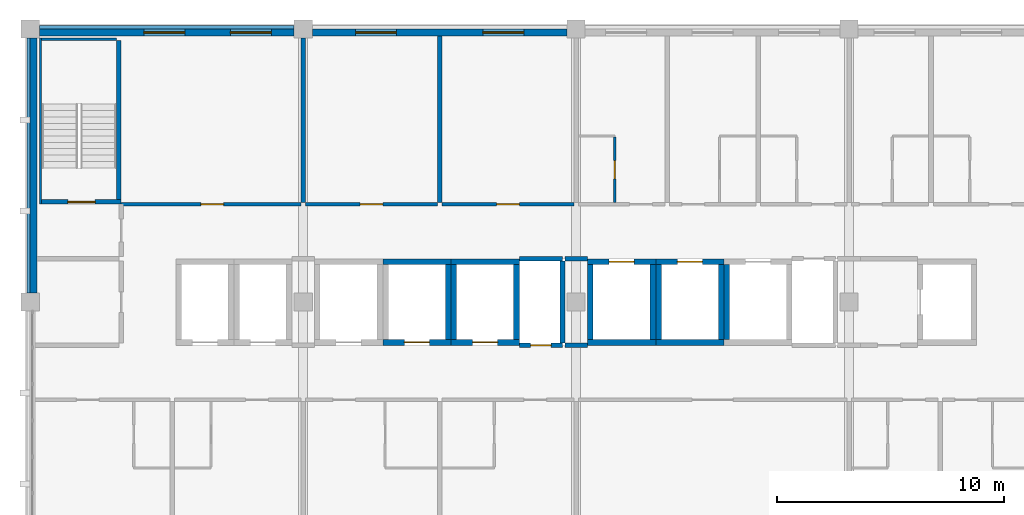
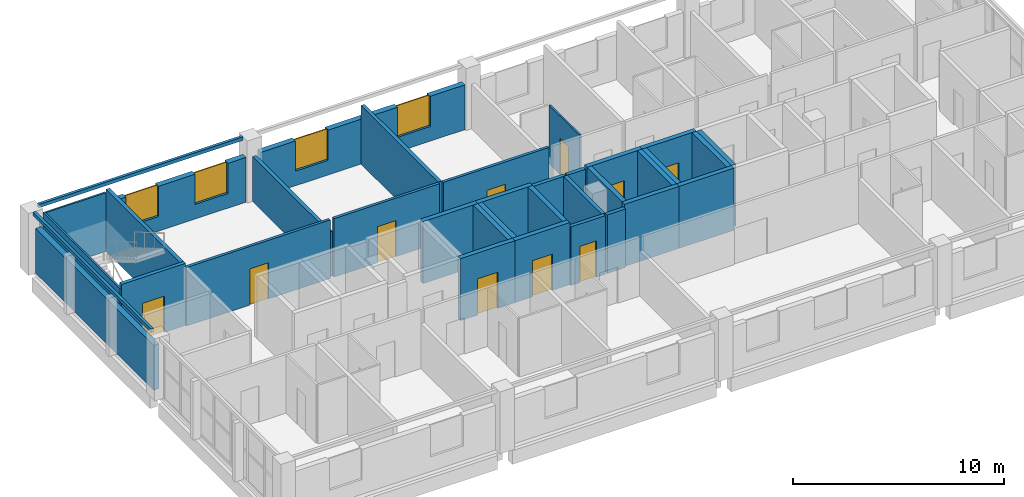
# One storey, part 7 of 11: 36 walls, 10 doors, 4 windows, 14 openings.
"""IFC4 building model written with IfcOpenShell, lengths in metres."""

import ifcopenshell
import ifcopenshell.guid

model = None  # the IFC model being written
_history = None  # IfcOwnerHistory: only IFC2X3 demands one
_inside = {}  # id of a spatial element -> (the spatial element, [elements in it])
_under = {}  # id of a project, library or spatial element -> (it, [spatial elements below it])
_declared = {}  # id of a project -> (the project, [libraries it declares])
_typed = {}  # id of a type object -> (the type object, [elements of that type])
_made_of = {}  # id of a material, layer set ... -> (it, [elements and type objects made of it])


def new_model(schema):
    """Start an empty IFC model of exactly this schema.

    Asked for "IFC4X3", IfcOpenShell would pick the latest addendum, in which some entities
    have other attributes; the version numbers below select the first issue.
    IFC2X3 requires an IfcOwnerHistory on every rooted entity: one is made here for all.
    """
    global model, _history
    if schema == "IFC4X3":
        model = ifcopenshell.file(schema_version=(4, 3, 0, 0))
    else:
        model = ifcopenshell.file(schema=schema)
    _inside.clear()
    _under.clear()
    _declared.clear()
    _typed.clear()
    _made_of.clear()
    _history = None
    if model.schema == "IFC2X3":
        org = make("IfcOrganization", Name="unknown")
        user = make(
            "IfcPersonAndOrganization",
            ThePerson=make("IfcPerson", FamilyName="unknown"),
            TheOrganization=org,
        )
        app = make(
            "IfcApplication",
            ApplicationDeveloper=org,
            Version="unknown",
            ApplicationFullName="unknown",
            ApplicationIdentifier="unknown",
        )
        _history = make(
            "IfcOwnerHistory",
            OwningUser=user,
            OwningApplication=app,
            ChangeAction="ADDED",
            CreationDate=0,
        )
    return model


def make(cls, **values):
    """One entity of the class cls with the attributes given. An attribute that is None is left unset."""
    return model.create_entity(
        cls, **{name: value for name, value in values.items() if value is not None}
    )


def rooted(cls, **values):
    """An entity with a GlobalId (a new one), such as an element, a storey or a relation."""
    return make(cls, GlobalId=ifcopenshell.guid.new(), OwnerHistory=_history, **values)


def si_unit(unit_type, name, prefix=None):
    """IfcSIUnit, for example si_unit("LENGTHUNIT", "METRE", prefix="MILLI")."""
    return make("IfcSIUnit", UnitType=unit_type, Prefix=prefix, Name=name)


def assignment(units):
    """IfcUnitAssignment: the units of a project."""
    return None if units is None else make("IfcUnitAssignment", Units=units)


def point(xyz):
    """IfcCartesianPoint."""
    return None if xyz is None else make("IfcCartesianPoint", Coordinates=xyz)


def direction(xyz):
    """IfcDirection."""
    return None if xyz is None else make("IfcDirection", DirectionRatios=xyz)


def frame(location, z_axis=None, x_axis=None):
    """IfcAxis2Placement3D, a coordinate frame: its origin and axes. An axis left out is left unset."""
    return make(
        "IfcAxis2Placement3D",
        Location=point(location),
        Axis=direction(z_axis),
        RefDirection=direction(x_axis),
    )


def frame_2d(location, x_axis=None):
    """IfcAxis2Placement2D, a coordinate frame in the plane: its origin and x axis."""
    return make(
        "IfcAxis2Placement2D", Location=point(location), RefDirection=direction(x_axis)
    )


def origin():
    """The frame at (0, 0, 0) with its axes left unset."""
    return frame((0.0, 0.0, 0.0))


def place(relative_to, where):
    """IfcLocalPlacement: puts the frame where relative to a parent placement (None: the world)."""
    return make(
        "IfcLocalPlacement", PlacementRelTo=relative_to, RelativePlacement=where
    )


def context(
    kind, dimensions, precision=None, world=None, true_north=None, identifier=None
):
    """IfcGeometricRepresentationContext, for example the 3D "Model" context."""
    return make(
        "IfcGeometricRepresentationContext",
        ContextIdentifier=identifier,
        ContextType=kind,
        CoordinateSpaceDimension=dimensions,
        Precision=precision,
        WorldCoordinateSystem=world,
        TrueNorth=true_north,
    )


def subcontext(parent, identifier, kind, view, scale=None):
    """IfcGeometricRepresentationSubContext, for example "Body" below "Model"."""
    return make(
        "IfcGeometricRepresentationSubContext",
        ContextIdentifier=identifier,
        ContextType=kind,
        ParentContext=parent,
        TargetScale=scale,
        TargetView=view,
    )


def project(units=None, contexts=None):
    """IfcProject with its units and contexts."""
    return rooted(
        "IfcProject",
        Name="project",
        RepresentationContexts=contexts,
        UnitsInContext=assignment(units),
    )


def spatial(cls, under=None, at=None, **own):
    """A site, building, storey or space (cls), placed at a placement, below another one or the project."""
    s = rooted(cls, ObjectPlacement=at, **own)
    if under is not None:
        _under.setdefault(under.id(), (under, []))[1].append(s)
    return s


def profile(cls, at=None, kind="AREA", **sizes):
    """A parametric profile (cls). Its sizes go by their IFC names, for example OverallWidth=200.0."""
    return make(cls, ProfileType=kind, Position=at, **sizes)


def rectangle(**sizes):
    """IfcRectangleProfileDef."""
    return profile("IfcRectangleProfileDef", **sizes)


def extrude(swept, where, along, depth):
    """IfcExtrudedAreaSolid: the profile swept, set in the frame where, extruded along a direction by depth."""
    return make(
        "IfcExtrudedAreaSolid",
        SweptArea=swept,
        Position=where,
        ExtrudedDirection=direction(along),
        Depth=depth,
    )


def shape(context_of_items, identifier, shape_type, items):
    """IfcShapeRepresentation: the items that make up one representation, for example the "Body"."""
    return make(
        "IfcShapeRepresentation",
        ContextOfItems=context_of_items,
        RepresentationIdentifier=identifier,
        RepresentationType=shape_type,
        Items=items,
    )


def material(Name=None, Category=None):
    """IfcMaterial."""
    return make("IfcMaterial", Name=Name, Category=Category)


def layer(
    of_material, thickness, ventilated=None, Name=None, Category=None, Priority=None
):
    """IfcMaterialLayer: one layer of a wall or slab, of a material (None: an air gap)."""
    return make(
        "IfcMaterialLayer",
        Material=of_material,
        LayerThickness=thickness,
        IsVentilated=ventilated,
        Name=Name,
        Category=Category,
        Priority=Priority,
    )


def layer_set(layers, Name=None):
    """IfcMaterialLayerSet."""
    return make("IfcMaterialLayerSet", MaterialLayers=layers, LayerSetName=Name)


def made_of(thing, what):
    """Note that an element or type object is made of a material, layer set ...; save() writes the relation."""
    if what is not None:
        _made_of.setdefault(what.id(), (what, []))[1].append(thing)
    return thing


def type_object(cls, material=None, **own):
    """A type object (cls), such as IfcWallType, which elements share."""
    return made_of(rooted(cls, **own), material)


def element(
    cls,
    number,
    at=None,
    inside=None,
    cuts=None,
    type_object=None,
    material=None,
    context=None,
    identifier="Body",
    shape_type=None,
    held_by="IfcProductDefinitionShape",
    body=None,
    shapes=None,
    **own,
):
    """One element of the class cls, such as IfcWall. Its Tag is "e" and its number.

    at: its placement. inside: the storey or other place that contains it. cuts: it is an
    opening in that element (IfcRelVoidsElement). A single representation is given by context,
    identifier, shape_type and body (its items); several are given by shapes. held_by: the class
    of the entity that holds the representations. save() writes the other relations.
    """
    e = rooted(cls, Tag="e%d" % number, ObjectPlacement=at, **own)
    if body is not None:
        shapes = [shape(context, identifier, shape_type, body)]
    if shapes is not None:
        e.Representation = make(held_by, Representations=shapes)
    if inside is not None:
        _inside.setdefault(inside.id(), (inside, []))[1].append(e)
    if cuts is not None:
        rooted(
            "IfcRelVoidsElement", RelatingBuildingElement=cuts, RelatedOpeningElement=e
        )
    if type_object is not None:
        _typed.setdefault(type_object.id(), (type_object, []))[1].append(e)
    return made_of(e, material)


def fill(opening, filler):
    """IfcRelFillsElement: the door or window that sits in an opening."""
    return rooted(
        "IfcRelFillsElement",
        RelatingOpeningElement=opening,
        RelatedBuildingElement=filler,
    )


def aggregate(whole, parts):
    """IfcRelAggregates: a whole, such as a stair, and the parts it consists of."""
    return rooted("IfcRelAggregates", RelatingObject=whole, RelatedObjects=parts)


def save(model, path):
    """Write the relations noted so far, then the file.

    IfcRelAggregates (storeys below a building ...), IfcRelContainedInSpatialStructure (elements
    in a storey), IfcRelDefinesByType, IfcRelAssociatesMaterial and IfcRelDeclares: one each for
    every whole, place, type object, material and project.
    """
    for whole, parts in _under.values():
        aggregate(whole, parts)
    for where, things in _inside.values():
        rooted(
            "IfcRelContainedInSpatialStructure",
            RelatedElements=things,
            RelatingStructure=where,
        )
    for kind, things in _typed.values():
        rooted("IfcRelDefinesByType", RelatedObjects=things, RelatingType=kind)
    for what, things in _made_of.values():
        rooted("IfcRelAssociatesMaterial", RelatedObjects=things, RelatingMaterial=what)
    for by, libraries in _declared.values():
        rooted("IfcRelDeclares", RelatingContext=by, RelatedDefinitions=libraries)
    model.write(path)


model = new_model("IFC4")

# Units and contexts
model_context = context("Model", 3, precision=1e-05, world=origin(), true_north=direction((0.0, 1.0)))
body_context = subcontext(model_context, "Body", "Model", "MODEL_VIEW")
ifc_project = project(units=[si_unit("LENGTHUNIT", "METRE"), si_unit("AREAUNIT", "SQUARE_METRE"), si_unit("VOLUMEUNIT", "CUBIC_METRE"), si_unit("PLANEANGLEUNIT", "RADIAN"), si_unit("MASSUNIT", "GRAM", prefix="KILO")], contexts=[model_context])

# Site, building, storey
site_placement = place(None, origin())
site = spatial("IfcSite", under=ifc_project, at=site_placement, CompositionType="ELEMENT")
building_placement = place(site_placement, origin())
building = spatial("IfcBuilding", under=site, at=building_placement, Name="Lilac Gate Convention Centre", CompositionType="ELEMENT")
storey_placement = place(building_placement, frame((0.0, 0.0, 39.0)))
storey = spatial("IfcBuildingStorey", under=building, at=storey_placement, Name="L09", CompositionType="ELEMENT", Elevation=39.0)

# Walls
ifc_material_1 = material(Name="Concrete C50", Category="concrete")
ifc_layer_1 = layer(ifc_material_1, 0.10009765625)
ifc_layer_set_1 = layer_set([ifc_layer_1], Name="Concrete C50")
wall_type_1 = type_object("IfcWallType", Name="Core wall 100 C50", PredefinedType="SHEAR", material=ifc_layer_set_1)
wall_1_placement = place(storey_placement, frame((42.449951171875, 238.300048828125, 0.0), z_axis=(0.0, 0.0, 1.0), x_axis=(0.0, 1.0, 0.0)))
element("IfcWall", 1, at=wall_1_placement, inside=storey, type_object=wall_type_1, Name="CRW9 core wall TS-WX L09 1", PredefinedType="SHEAR", context=body_context, shape_type="SweptSolid", body=[
    extrude(rectangle(XDim=7.300048828125, YDim=0.10009765625, at=frame_2d((3.64990234375, 0.0))), origin(), (0.0, 0.0, 1.0), 3.39990234375),
])
wall_2_placement = place(storey_placement, frame((42.5, 245.550048828125, 0.0), z_axis=(0.0, 0.0, 1.0), x_axis=(1.0, 0.0, 0.0)))
element("IfcWall", 2, at=wall_2_placement, inside=storey, type_object=wall_type_1, Name="CRW9 core wall TS-WX L09 2", PredefinedType="SHEAR", context=body_context, shape_type="SweptSolid", body=[
    extrude(rectangle(XDim=3.300048828125, YDim=0.10009765625, at=frame_2d((1.64990234375, 0.0))), origin(), (0.0, 0.0, 1.0), 3.39990234375),
])

# Wall, opening, door
ifc_layer_2 = layer(ifc_material_1, 0.199951171875)
ifc_layer_set_2 = layer_set([ifc_layer_2], Name="Concrete C50")
wall_type_2 = type_object("IfcWallType", Name="Core wall 200 C50", PredefinedType="SHEAR", material=ifc_layer_set_2)
wall_3_placement = place(storey_placement, frame((42.5, 238.39990234375, 0.0), z_axis=(0.0, 0.0, 1.0), x_axis=(1.0, 0.0, 0.0)))
wall_3 = element("IfcWall", 3, at=wall_3_placement, inside=storey, type_object=wall_type_2, Name="CRW6 core wall TS-W L09 1", PredefinedType="SHEAR", context=body_context, shape_type="SweptSolid", body=[
    extrude(rectangle(XDim=3.5, YDim=0.199951171875, at=frame_2d((1.75, 0.0))), origin(), (0.0, 0.0, 1.0), 3.60009765625),
])
opening_1_placement = place(wall_3_placement, frame((1.14990234375, 0.0, 0.0)))
opening_1 = element("IfcOpeningElement", 4, at=opening_1_placement, cuts=wall_3, Name="Opening T07-045", PredefinedType="OPENING", context=body_context, shape_type="SweptSolid", body=[
    extrude(rectangle(XDim=1.199951171875, YDim=2.10009765625, at=frame_2d((0.60009765625, 1.050048828125))), frame((0.0, 0.10986328125, 0.0), z_axis=(0.0, -1.0, 0.0), x_axis=(1.0, 0.0, 0.0)), (0.0, 0.0, 1.0), 0.219970703125),
])
ifc_material_2 = material(Name="Steel Q235B", Category="steel")
door_type_1 = type_object("IfcDoorType", Name="Stair door 1200", OperationType="SINGLE_SWING_LEFT", PredefinedType="DOOR", material=ifc_material_2)
door_1_placement = place(opening_1_placement, origin())
door_1 = element("IfcDoor", 5, at=door_1_placement, inside=storey, type_object=door_type_1, Name="Stair door NW L09", OperationType="SINGLE_SWING_RIGHT", OverallHeight=2.10009765625, OverallWidth=1.199951171875, PredefinedType="DOOR", context=body_context, shape_type="SweptSolid", body=[
    extrude(rectangle(XDim=1.199951171875, YDim=2.10009765625, at=frame_2d((0.60009765625, 1.050048828125))), frame((0.0, 0.02490234375, 0.0), z_axis=(0.0, -1.0, 0.0), x_axis=(1.0, 0.0, 0.0)), (0.0, 0.0, 1.0), 0.050048828125),
])
fill(opening_1, door_1)

# Wall
wall_4_placement = place(storey_placement, frame((45.89990234375, 238.5, 0.0), z_axis=(0.0, 0.0, 1.0), x_axis=(0.0, 1.0, 0.0)))
element("IfcWall", 6, at=wall_4_placement, inside=storey, type_object=wall_type_2, Name="CRW6 core wall TS-W L09 2", PredefinedType="SHEAR", context=body_context, shape_type="SweptSolid", body=[
    extrude(rectangle(XDim=7.0, YDim=0.199951171875, at=frame_2d((3.5, 0.0))), origin(), (0.0, 0.0, 1.0), 3.60009765625),
])

# Wall, opening, door
ifc_layer_3 = layer(ifc_material_1, 0.25)
ifc_layer_set_3 = layer_set([ifc_layer_3], Name="Concrete C50")
wall_type_3 = type_object("IfcWallType", Name="Core wall 250 C50", PredefinedType="SHEAR", material=ifc_layer_set_3)
wall_5_placement = place(storey_placement, frame((57.5, 232.22509765625, 0.0), z_axis=(0.0, 0.0, 1.0), x_axis=(1.0, 0.0, 0.0)))
wall_5 = element("IfcWall", 7, at=wall_5_placement, inside=storey, type_object=wall_type_3, Name="CRW4 core wall TC L09 5", PredefinedType="SHEAR", context=body_context, shape_type="SweptSolid", body=[
    extrude(rectangle(XDim=3.0, YDim=0.25, at=frame_2d((1.5, 0.0))), origin(), (0.0, 0.0, 1.0), 3.60009765625),
])
opening_2_placement = place(wall_5_placement, frame((0.949951171875, 0.0, 0.0)))
opening_2 = element("IfcOpeningElement", 8, at=opening_2_placement, cuts=wall_5, Name="Opening T07-037", PredefinedType="OPENING", context=body_context, shape_type="SweptSolid", body=[
    extrude(rectangle(XDim=1.10009765625, YDim=2.10009765625, at=frame_2d((0.550048828125, 1.050048828125))), frame((0.0, 0.135009765625, 0.0), z_axis=(0.0, -1.0, 0.0), x_axis=(1.0, 0.0, 0.0)), (0.0, 0.0, 1.0), 0.27001953125),
])
ifc_material_3 = material(Name="Stainless steel 304", Category="steel")
door_type_2 = type_object("IfcDoorType", Name="Lift landing door 1100", OperationType="SLIDING_TO_LEFT", PredefinedType="DOOR", material=ifc_material_3)
door_2_placement = place(opening_2_placement, origin())
door_2 = element("IfcDoor", 9, at=door_2_placement, inside=storey, type_object=door_type_2, Name="Lift landing door TP2 L09", OperationType="SLIDING_TO_LEFT", OverallHeight=2.10009765625, OverallWidth=1.10009765625, PredefinedType="DOOR", context=body_context, shape_type="SweptSolid", body=[
    extrude(rectangle(XDim=1.10009765625, YDim=2.10009765625, at=frame_2d((0.550048828125, 1.050048828125))), frame((0.0, 0.02490234375, 0.0), z_axis=(0.0, -1.0, 0.0), x_axis=(1.0, 0.0, 0.0)), (0.0, 0.0, 1.0), 0.050048828125),
])
fill(opening_2, door_2)

# Walls
wall_6_placement = place(storey_placement, frame((57.5, 235.77490234375, 0.0), z_axis=(0.0, 0.0, 1.0), x_axis=(1.0, 0.0, 0.0)))
element("IfcWall", 10, at=wall_6_placement, inside=storey, type_object=wall_type_3, Name="CRW4 core wall TC L09 6", PredefinedType="SHEAR", context=body_context, shape_type="SweptSolid", body=[
    extrude(rectangle(XDim=3.0, YDim=0.25, at=frame_2d((1.5, 0.0))), origin(), (0.0, 0.0, 1.0), 3.60009765625),
])
wall_7_placement = place(storey_placement, frame((60.375, 232.35009765625, 0.0), z_axis=(0.0, 0.0, 1.0), x_axis=(0.0, 1.0, 0.0)))
element("IfcWall", 11, at=wall_7_placement, inside=storey, type_object=wall_type_3, Name="CRW4 core wall TC L09 8", PredefinedType="SHEAR", context=body_context, shape_type="SweptSolid", body=[
    extrude(rectangle(XDim=3.2998046875, YDim=0.25, at=frame_2d((1.64990234375, 0.0))), origin(), (0.0, 0.0, 1.0), 3.60009765625),
])

# Wall, opening, door
wall_8_placement = place(storey_placement, frame((60.5, 232.22509765625, 0.0), z_axis=(0.0, 0.0, 1.0), x_axis=(1.0, 0.0, 0.0)))
wall_8 = element("IfcWall", 12, at=wall_8_placement, inside=storey, type_object=wall_type_3, Name="CRW4 core wall TC L09 9", PredefinedType="SHEAR", context=body_context, shape_type="SweptSolid", body=[
    extrude(rectangle(XDim=3.0, YDim=0.25, at=frame_2d((1.5, 0.0))), origin(), (0.0, 0.0, 1.0), 3.60009765625),
])
opening_3_placement = place(wall_8_placement, frame((0.949951171875, 0.0, 0.0)))
opening_3 = element("IfcOpeningElement", 13, at=opening_3_placement, cuts=wall_8, Name="Opening T07-038", PredefinedType="OPENING", context=body_context, shape_type="SweptSolid", body=[
    extrude(rectangle(XDim=1.10009765625, YDim=2.10009765625, at=frame_2d((0.550048828125, 1.050048828125))), frame((0.0, 0.135009765625, 0.0), z_axis=(0.0, -1.0, 0.0), x_axis=(1.0, 0.0, 0.0)), (0.0, 0.0, 1.0), 0.27001953125),
])
door_3_placement = place(opening_3_placement, origin())
door_3 = element("IfcDoor", 14, at=door_3_placement, inside=storey, type_object=door_type_2, Name="Lift landing door TP3 L09", OperationType="SLIDING_TO_LEFT", OverallHeight=2.10009765625, OverallWidth=1.10009765625, PredefinedType="DOOR", context=body_context, shape_type="SweptSolid", body=[
    extrude(rectangle(XDim=1.10009765625, YDim=2.10009765625, at=frame_2d((0.550048828125, 1.050048828125))), frame((0.0, 0.02490234375, 0.0), z_axis=(0.0, -1.0, 0.0), x_axis=(1.0, 0.0, 0.0)), (0.0, 0.0, 1.0), 0.050048828125),
])
fill(opening_3, door_3)

# Walls
wall_9_placement = place(storey_placement, frame((60.5, 235.77490234375, 0.0), z_axis=(0.0, 0.0, 1.0), x_axis=(1.0, 0.0, 0.0)))
element("IfcWall", 15, at=wall_9_placement, inside=storey, type_object=wall_type_3, Name="CRW4 core wall TC L09 10", PredefinedType="SHEAR", context=body_context, shape_type="SweptSolid", body=[
    extrude(rectangle(XDim=3.0, YDim=0.25, at=frame_2d((1.5, 0.0))), origin(), (0.0, 0.0, 1.0), 3.60009765625),
])
for number, where, z_axis, x_axis, name in (
    (16, (60.625, 232.35009765625, 0.0), (0.0, 0.0, 1.0), (0.0, 1.0, 0.0), "CRW4 core wall TC L09 11"),
    (17, (63.375, 232.35009765625, 0.0), (0.0, 0.0, 1.0), (0.0, 1.0, 0.0), "CRW4 core wall TC L09 12"),
):
    element("IfcWall", number, at=place(storey_placement, frame(where, z_axis=z_axis, x_axis=x_axis)), inside=storey, type_object=wall_type_3, Name=name, PredefinedType="SHEAR", context=body_context, shape_type="SweptSolid", body=[
        extrude(rectangle(XDim=3.2998046875, YDim=0.25, at=frame_2d((1.64990234375, 0.0))), origin(), (0.0, 0.0, 1.0), 3.60009765625),
    ])
wall_10_placement = place(storey_placement, frame((66.5, 232.22509765625, 0.0), z_axis=(0.0, 0.0, 1.0), x_axis=(1.0, 0.0, 0.0)))
element("IfcWall", 18, at=wall_10_placement, inside=storey, type_object=wall_type_3, Name="CRW4 core wall TC L09 13", PredefinedType="SHEAR", context=body_context, shape_type="SweptSolid", body=[
    extrude(rectangle(XDim=3.0, YDim=0.25, at=frame_2d((1.5, 0.0))), origin(), (0.0, 0.0, 1.0), 3.60009765625),
])

# Wall, opening, door
wall_11_placement = place(storey_placement, frame((66.5, 235.77490234375, 0.0), z_axis=(0.0, 0.0, 1.0), x_axis=(1.0, 0.0, 0.0)))
wall_11 = element("IfcWall", 19, at=wall_11_placement, inside=storey, type_object=wall_type_3, Name="CRW4 core wall TC L09 14", PredefinedType="SHEAR", context=body_context, shape_type="SweptSolid", body=[
    extrude(rectangle(XDim=3.0, YDim=0.25, at=frame_2d((1.5, 0.0))), origin(), (0.0, 0.0, 1.0), 3.60009765625),
])
opening_4_placement = place(wall_11_placement, frame((0.949951171875, 0.0, 0.0)))
opening_4 = element("IfcOpeningElement", 20, at=opening_4_placement, cuts=wall_11, Name="Opening T07-039", PredefinedType="OPENING", context=body_context, shape_type="SweptSolid", body=[
    extrude(rectangle(XDim=1.10009765625, YDim=2.10009765625, at=frame_2d((0.550048828125, 1.050048828125))), frame((0.0, 0.135009765625, 0.0), z_axis=(0.0, -1.0, 0.0), x_axis=(1.0, 0.0, 0.0)), (0.0, 0.0, 1.0), 0.27001953125),
])
door_4_placement = place(opening_4_placement, origin())
door_4 = element("IfcDoor", 21, at=door_4_placement, inside=storey, type_object=door_type_2, Name="Lift landing door TP4 L09", OperationType="SLIDING_TO_LEFT", OverallHeight=2.10009765625, OverallWidth=1.10009765625, PredefinedType="DOOR", context=body_context, shape_type="SweptSolid", body=[
    extrude(rectangle(XDim=1.10009765625, YDim=2.10009765625, at=frame_2d((0.550048828125, 1.050048828125))), frame((0.0, 0.02490234375, 0.0), z_axis=(0.0, -1.0, 0.0), x_axis=(1.0, 0.0, 0.0)), (0.0, 0.0, 1.0), 0.050048828125),
])
fill(opening_4, door_4)

# Walls
for number, where, z_axis, x_axis, name in (
    (22, (66.625, 232.35009765625, 0.0), (0.0, 0.0, 1.0), (0.0, 1.0, 0.0), "CRW4 core wall TC L09 15"),
    (23, (69.375, 232.35009765625, 0.0), (0.0, 0.0, 1.0), (0.0, 1.0, 0.0), "CRW4 core wall TC L09 16"),
):
    element("IfcWall", number, at=place(storey_placement, frame(where, z_axis=z_axis, x_axis=x_axis)), inside=storey, type_object=wall_type_3, Name=name, PredefinedType="SHEAR", context=body_context, shape_type="SweptSolid", body=[
        extrude(rectangle(XDim=3.2998046875, YDim=0.25, at=frame_2d((1.64990234375, 0.0))), origin(), (0.0, 0.0, 1.0), 3.60009765625),
    ])
wall_12_placement = place(storey_placement, frame((69.5, 232.22509765625, 0.0), z_axis=(0.0, 0.0, 1.0), x_axis=(1.0, 0.0, 0.0)))
element("IfcWall", 24, at=wall_12_placement, inside=storey, type_object=wall_type_3, Name="CRW4 core wall TC L09 17", PredefinedType="SHEAR", context=body_context, shape_type="SweptSolid", body=[
    extrude(rectangle(XDim=3.0, YDim=0.25, at=frame_2d((1.5, 0.0))), origin(), (0.0, 0.0, 1.0), 3.60009765625),
])

# Wall, opening, door
wall_13_placement = place(storey_placement, frame((69.5, 235.77490234375, 0.0), z_axis=(0.0, 0.0, 1.0), x_axis=(1.0, 0.0, 0.0)))
wall_13 = element("IfcWall", 25, at=wall_13_placement, inside=storey, type_object=wall_type_3, Name="CRW4 core wall TC L09 18", PredefinedType="SHEAR", context=body_context, shape_type="SweptSolid", body=[
    extrude(rectangle(XDim=3.0, YDim=0.25, at=frame_2d((1.5, 0.0))), origin(), (0.0, 0.0, 1.0), 3.60009765625),
])
opening_5_placement = place(wall_13_placement, frame((0.949951171875, 0.0, 0.0)))
opening_5 = element("IfcOpeningElement", 26, at=opening_5_placement, cuts=wall_13, Name="Opening T07-040", PredefinedType="OPENING", context=body_context, shape_type="SweptSolid", body=[
    extrude(rectangle(XDim=1.10009765625, YDim=2.10009765625, at=frame_2d((0.550048828125, 1.050048828125))), frame((0.0, 0.135009765625, 0.0), z_axis=(0.0, -1.0, 0.0), x_axis=(1.0, 0.0, 0.0)), (0.0, 0.0, 1.0), 0.27001953125),
])
door_5_placement = place(opening_5_placement, origin())
door_5 = element("IfcDoor", 27, at=door_5_placement, inside=storey, type_object=door_type_2, Name="Lift landing door TP5 L09", OperationType="SLIDING_TO_LEFT", OverallHeight=2.10009765625, OverallWidth=1.10009765625, PredefinedType="DOOR", context=body_context, shape_type="SweptSolid", body=[
    extrude(rectangle(XDim=1.10009765625, YDim=2.10009765625, at=frame_2d((0.550048828125, 1.050048828125))), frame((0.0, 0.02490234375, 0.0), z_axis=(0.0, -1.0, 0.0), x_axis=(1.0, 0.0, 0.0)), (0.0, 0.0, 1.0), 0.050048828125),
])
fill(opening_5, door_5)

# Walls
for number, where, z_axis, x_axis, name in (
    (28, (69.625, 232.35009765625, 0.0), (0.0, 0.0, 1.0), (0.0, 1.0, 0.0), "CRW4 core wall TC L09 19"),
    (29, (72.375, 232.35009765625, 0.0), (0.0, 0.0, 1.0), (0.0, 1.0, 0.0), "CRW4 core wall TC L09 20"),
    (30, (72.625, 232.35009765625, 0.0), (0.0, 0.0, 1.0), (0.0, 1.0, 0.0), "CRW4 core wall TC L09 23"),
):
    element("IfcWall", number, at=place(storey_placement, frame(where, z_axis=z_axis, x_axis=x_axis)), inside=storey, type_object=wall_type_3, Name=name, PredefinedType="SHEAR", context=body_context, shape_type="SweptSolid", body=[
        extrude(rectangle(XDim=3.2998046875, YDim=0.25, at=frame_2d((1.64990234375, 0.0))), origin(), (0.0, 0.0, 1.0), 3.60009765625),
    ])

# Wall, opening, door
ifc_material_4 = material(Name="Gypsum board on steel stud", Category="steel")
ifc_layer_4 = layer(ifc_material_4, 0.14990234375)
ifc_layer_set_4 = layer_set([ifc_layer_4], Name="Gypsum board on steel stud")
wall_type_4 = type_object("IfcWallType", Name="Corridor wall 150", PredefinedType="PARTITIONING", material=ifc_layer_set_4)
wall_14_placement = place(storey_placement, frame((46.0, 238.300048828125, 0.0), z_axis=(0.0, 0.0, 1.0), x_axis=(1.0, 0.0, 0.0)))
wall_14 = element("IfcWall", 31, at=wall_14_placement, inside=storey, type_object=wall_type_4, Name="Corridor wall 150 front 0908", PredefinedType="PARTITIONING", context=body_context, shape_type="SweptSolid", body=[
    extrude(rectangle(XDim=7.89990234375, YDim=0.14990234375, at=frame_2d((3.949951171875, 0.0))), origin(), (0.0, 0.0, 1.0), 3.39990234375),
])
opening_6_placement = place(wall_14_placement, frame((3.5, 0.0, 0.0)))
opening_6 = element("IfcOpeningElement", 32, at=opening_6_placement, cuts=wall_14, Name="Opening T07-021", PredefinedType="OPENING", context=body_context, shape_type="SweptSolid", body=[
    extrude(rectangle(XDim=1.0, YDim=2.10009765625, at=frame_2d((0.5, 1.050048828125))), frame((0.0, 0.0849609375, 0.0), z_axis=(0.0, -1.0, 0.0), x_axis=(1.0, 0.0, 0.0)), (0.0, 0.0, 1.0), 0.169921875),
])
ifc_material_5 = material(Name="Timber", Category="wood")
door_type_3 = type_object("IfcDoorType", Name="Room door 1000", OperationType="SINGLE_SWING_LEFT", PredefinedType="DOOR", material=ifc_material_5)
door_6_placement = place(opening_6_placement, origin())
door_6 = element("IfcDoor", 33, at=door_6_placement, inside=storey, type_object=door_type_3, Name="Business Centre door", OperationType="SINGLE_SWING_RIGHT", OverallHeight=2.10009765625, OverallWidth=1.0, PredefinedType="DOOR", context=body_context, shape_type="SweptSolid", body=[
    extrude(rectangle(XDim=1.0, YDim=2.10009765625, at=frame_2d((0.5, 1.050048828125))), frame((0.0, 0.02490234375, 0.0), z_axis=(0.0, -1.0, 0.0), x_axis=(1.0, 0.0, 0.0)), (0.0, 0.0, 1.0), 0.050048828125),
])
fill(opening_6, door_6)

wall_15_placement = place(storey_placement, frame((54.10009765625, 238.300048828125, 0.0), z_axis=(0.0, 0.0, 1.0), x_axis=(1.0, 0.0, 0.0)))
wall_15 = element("IfcWall", 34, at=wall_15_placement, inside=storey, type_object=wall_type_4, Name="Corridor wall 150 front 0909", PredefinedType="PARTITIONING", context=body_context, shape_type="SweptSolid", body=[
    extrude(rectangle(XDim=5.7998046875, YDim=0.14990234375, at=frame_2d((2.89990234375, 0.0))), origin(), (0.0, 0.0, 1.0), 3.39990234375),
])
opening_7_placement = place(wall_15_placement, frame((2.39990234375, 0.0, 0.0)))
opening_7 = element("IfcOpeningElement", 35, at=opening_7_placement, cuts=wall_15, Name="Opening T07-022", PredefinedType="OPENING", context=body_context, shape_type="SweptSolid", body=[
    extrude(rectangle(XDim=1.0, YDim=2.10009765625, at=frame_2d((0.5, 1.050048828125))), frame((0.0, 0.0849609375, 0.0), z_axis=(0.0, -1.0, 0.0), x_axis=(1.0, 0.0, 0.0)), (0.0, 0.0, 1.0), 0.169921875),
])
door_7_placement = place(opening_7_placement, origin())
door_7 = element("IfcDoor", 36, at=door_7_placement, inside=storey, type_object=door_type_3, Name="Meeting Room door", OperationType="SINGLE_SWING_LEFT", OverallHeight=2.10009765625, OverallWidth=1.0, PredefinedType="DOOR", context=body_context, shape_type="SweptSolid", body=[
    extrude(rectangle(XDim=1.0, YDim=2.10009765625, at=frame_2d((0.5, 1.050048828125))), frame((0.0, 0.02490234375, 0.0), z_axis=(0.0, -1.0, 0.0), x_axis=(1.0, 0.0, 0.0)), (0.0, 0.0, 1.0), 0.050048828125),
])
fill(opening_7, door_7)

wall_16_placement = place(storey_placement, frame((60.10009765625, 238.300048828125, 0.0), z_axis=(0.0, 0.0, 1.0), x_axis=(1.0, 0.0, 0.0)))
wall_16 = element("IfcWall", 37, at=wall_16_placement, inside=storey, type_object=wall_type_4, Name="Corridor wall 150 front 0910", PredefinedType="PARTITIONING", context=body_context, shape_type="SweptSolid", body=[
    extrude(rectangle(XDim=5.7998046875, YDim=0.14990234375, at=frame_2d((2.89990234375, 0.0))), origin(), (0.0, 0.0, 1.0), 3.39990234375),
])
opening_8_placement = place(wall_16_placement, frame((2.39990234375, 0.0, 0.0)))
opening_8 = element("IfcOpeningElement", 38, at=opening_8_placement, cuts=wall_16, Name="Opening T07-023", PredefinedType="OPENING", context=body_context, shape_type="SweptSolid", body=[
    extrude(rectangle(XDim=1.0, YDim=2.10009765625, at=frame_2d((0.5, 1.050048828125))), frame((0.0, 0.0849609375, 0.0), z_axis=(0.0, -1.0, 0.0), x_axis=(1.0, 0.0, 0.0)), (0.0, 0.0, 1.0), 0.169921875),
])
door_8_placement = place(opening_8_placement, origin())
door_8 = element("IfcDoor", 39, at=door_8_placement, inside=storey, type_object=door_type_3, Name="Meeting Room door", OperationType="SINGLE_SWING_LEFT", OverallHeight=2.10009765625, OverallWidth=1.0, PredefinedType="DOOR", context=body_context, shape_type="SweptSolid", body=[
    extrude(rectangle(XDim=1.0, YDim=2.10009765625, at=frame_2d((0.5, 1.050048828125))), frame((0.0, 0.02490234375, 0.0), z_axis=(0.0, -1.0, 0.0), x_axis=(1.0, 0.0, 0.0)), (0.0, 0.0, 1.0), 0.050048828125),
])
fill(opening_8, door_8)

ifc_layer_5 = layer(ifc_material_4, 0.10009765625)
ifc_layer_set_5 = layer_set([ifc_layer_5], Name="Gypsum board on steel stud")
wall_type_5 = type_object("IfcWallType", Name="En-suite wall 100", PredefinedType="PARTITIONING", material=ifc_layer_set_5)
wall_17_placement = place(storey_placement, frame((67.699951171875, 241.25, 0.0), z_axis=(0.0, 0.0, 1.0), x_axis=(0.0, -1.0, 0.0)))
wall_17 = element("IfcWall", 40, at=wall_17_placement, inside=storey, type_object=wall_type_5, Name="En-suite wall 100 bath side 0911", PredefinedType="PARTITIONING", context=body_context, shape_type="SweptSolid", body=[
    extrude(rectangle(XDim=2.875, YDim=0.10009765625, at=frame_2d((1.4375, 0.0))), origin(), (0.0, 0.0, 1.0), 3.39990234375),
])
opening_9_placement = place(wall_17_placement, frame((1.03759765625, 0.0, 0.0)))
opening_9 = element("IfcOpeningElement", 41, at=opening_9_placement, cuts=wall_17, Name="Opening T07-025", PredefinedType="OPENING", context=body_context, shape_type="SweptSolid", body=[
    extrude(rectangle(XDim=0.800048828125, YDim=2.10009765625, at=frame_2d((0.39990234375, 1.050048828125))), frame((0.0, 0.06005859375, 0.0), z_axis=(0.0, -1.0, 0.0), x_axis=(1.0, 0.0, 0.0)), (0.0, 0.0, 1.0), 0.1201171875),
])
door_type_4 = type_object("IfcDoorType", Name="En-suite door 800", OperationType="SINGLE_SWING_LEFT", PredefinedType="DOOR", material=ifc_material_5)
door_9_placement = place(opening_9_placement, origin())
door_9 = element("IfcDoor", 42, at=door_9_placement, inside=storey, type_object=door_type_4, Name="En-suite door 0911", OperationType="SINGLE_SWING_RIGHT", OverallHeight=2.10009765625, OverallWidth=0.800048828125, PredefinedType="DOOR", context=body_context, shape_type="SweptSolid", body=[
    extrude(rectangle(XDim=0.800048828125, YDim=2.10009765625, at=frame_2d((0.39990234375, 1.050048828125))), frame((0.0, 0.02490234375, 0.0), z_axis=(0.0, -1.0, 0.0), x_axis=(1.0, 0.0, 0.0)), (0.0, 0.0, 1.0), 0.050048828125),
])
fill(opening_9, door_9)

# Walls
ifc_layer_6 = layer(ifc_material_4, 0.199951171875)
ifc_layer_set_6 = layer_set([ifc_layer_6], Name="Gypsum board on steel stud")
wall_type_6 = type_object("IfcWallType", Name="Guest room party wall 200", PredefinedType="PARTITIONING", material=ifc_layer_set_6)
wall_18_placement = place(storey_placement, frame((54.0, 245.60009765625, 0.0), z_axis=(0.0, 0.0, 1.0), x_axis=(0.0, -1.0, 0.0)))
element("IfcWall", 43, at=wall_18_placement, inside=storey, type_object=wall_type_6, Name="Guest room party wall 200 party 54.0", PredefinedType="PARTITIONING", context=body_context, shape_type="SweptSolid", body=[
    extrude(rectangle(XDim=7.22509765625, YDim=0.199951171875, at=frame_2d((3.612548828125, 0.0))), origin(), (0.0, 0.0, 1.0), 2.60009765625),
])
wall_19_placement = place(storey_placement, frame((60.0, 245.7001953125, 0.0), z_axis=(0.0, 0.0, 1.0), x_axis=(0.0, -1.0, 0.0)))
element("IfcWall", 44, at=wall_19_placement, inside=storey, type_object=wall_type_6, Name="Guest room party wall 200 party 60.0", PredefinedType="PARTITIONING", context=body_context, shape_type="SweptSolid", body=[
    extrude(rectangle(XDim=7.3251953125, YDim=0.199951171875, at=frame_2d((3.66259765625, 0.0))), origin(), (0.0, 0.0, 1.0), 3.39990234375),
])
ifc_material_6 = material(Name="Concrete C40 precast", Category="concrete")
ifc_layer_7 = layer(ifc_material_6, 0.1298828125)
ifc_material_7 = material(Name="Terracotta glazed cladding", Category="masonry")
ifc_layer_8 = layer(ifc_material_7, 0.02001953125)
ifc_layer_set_7 = layer_set([ifc_layer_7, ifc_layer_8], Name="Concrete C40 precast, Terracotta glazed cladding")
wall_type_7 = type_object("IfcWallType", Name="Precast band terracotta 150", PredefinedType="STANDARD", material=ifc_layer_set_7)
for number, where, z_axis, x_axis, name in (
    (45, (53.60009765625, 246.074951171875, 3.39990234375), (0.0, 0.0, 1.0), (-1.0, 0.0, 0.0), "Precast band N L09 4"),
    (46, (41.925048828125, 245.60009765625, 3.39990234375), (0.0, 0.0, 1.0), (0.0, -1.0, 0.0), "Precast band W L09 1"),
):
    element("IfcWall", number, at=place(storey_placement, frame(where, z_axis=z_axis, x_axis=x_axis)), inside=storey, type_object=wall_type_7, Name=name, PredefinedType="STANDARD", context=body_context, shape_type="SweptSolid", body=[
        extrude(rectangle(XDim=11.2001953125, YDim=0.14990234375, at=frame_2d((5.60009765625, 0.0))), origin(), (0.0, 0.0, 1.0), 0.2001953125),
    ])

# Wall, openings, windows
ifc_layer_9 = layer(ifc_material_7, 0.02001953125)
ifc_layer_10 = layer(ifc_material_6, 0.06005859375)
ifc_material_8 = material(Name="Ventilated air cavity")
ifc_layer_11 = layer(ifc_material_8, 0.030029296875)
ifc_material_9 = material(Name="Mineral wool insulation")
ifc_layer_12 = layer(ifc_material_9, 0.1201171875)
ifc_material_10 = material(Name="Steel stud Q345 and gypsum lining", Category="steel")
ifc_layer_13 = layer(ifc_material_10, 0.070068359375)
ifc_layer_set_8 = layer_set([ifc_layer_9, ifc_layer_10, ifc_layer_11, ifc_layer_12, ifc_layer_13], Name="Terracotta glazed cladding, Concrete C40 precast, Ventilated air cavity, Mineral wool insulation, Steel stud Q345 and gypsum lining")
wall_type_8 = type_object("IfcWallType", Name="Precast panel wall terracotta 300", PredefinedType="STANDARD", material=ifc_layer_set_8)
wall_20_placement = place(storey_placement, frame((65.60009765625, 245.85009765625, 0.0), z_axis=(0.0, 0.0, 1.0), x_axis=(-1.0, 0.0, 0.0)))
wall_20 = element("IfcWall", 47, at=wall_20_placement, inside=storey, type_object=wall_type_8, Name="External wall N L09 3", PredefinedType="STANDARD", context=body_context, shape_type="SweptSolid", body=[
    extrude(rectangle(XDim=11.2001953125, YDim=0.300048828125, at=frame_2d((5.60009765625, 0.0))), origin(), (0.0, 0.0, 1.0), 2.60009765625),
])
opening_10_placement = place(wall_20_placement, frame((7.5, 0.0, 0.85009765625)))
opening_10 = element("IfcOpeningElement", 48, at=opening_10_placement, cuts=wall_20, Name="Opening W1", PredefinedType="OPENING", context=body_context, shape_type="SweptSolid", body=[
    extrude(rectangle(XDim=1.800048828125, YDim=1.75, at=frame_2d((0.89990234375, 0.875))), frame((0.0, 0.159912109375, 0.0), z_axis=(0.0, -1.0, 0.0), x_axis=(1.0, 0.0, 0.0)), (0.0, 0.0, 1.0), 0.320068359375),
])
opening_11_placement = place(wall_20_placement, frame((1.89990234375, 0.0, 0.85009765625)))
opening_11 = element("IfcOpeningElement", 49, at=opening_11_placement, cuts=wall_20, Name="Opening W1", PredefinedType="OPENING", context=body_context, shape_type="SweptSolid", body=[
    extrude(rectangle(XDim=1.800048828125, YDim=1.75, at=frame_2d((0.89990234375, 0.875))), frame((0.0, 0.159912109375, 0.0), z_axis=(0.0, -1.0, 0.0), x_axis=(1.0, 0.0, 0.0)), (0.0, 0.0, 1.0), 0.320068359375),
])
ifc_material_11 = material(Name="Aluminium framed double glazing", Category="aluminium")
window_type = type_object("IfcWindowType", Name="Guest room window 1800 x 1750", PartitioningType="DOUBLE_PANEL_VERTICAL", PredefinedType="WINDOW", material=ifc_material_11)
window_1_placement = place(opening_10_placement, origin())
window_1 = element("IfcWindow", 50, at=window_1_placement, inside=storey, type_object=window_type, Name="Window Guest N L09", OverallHeight=1.75, OverallWidth=1.800048828125, PartitioningType="SINGLE_PANEL", PredefinedType="WINDOW", context=body_context, shape_type="SweptSolid", body=[
    extrude(rectangle(XDim=1.800048828125, YDim=1.75, at=frame_2d((0.89990234375, 0.875))), frame((0.0, 0.030029296875, 0.0), z_axis=(0.0, -1.0, 0.0), x_axis=(1.0, 0.0, 0.0)), (0.0, 0.0, 1.0), 0.06005859375),
])
fill(opening_10, window_1)
window_2_placement = place(opening_11_placement, origin())
window_2 = element("IfcWindow", 51, at=window_2_placement, inside=storey, type_object=window_type, Name="Window Guest N L09", OverallHeight=1.75, OverallWidth=1.800048828125, PartitioningType="SINGLE_PANEL", PredefinedType="WINDOW", context=body_context, shape_type="SweptSolid", body=[
    extrude(rectangle(XDim=1.800048828125, YDim=1.75, at=frame_2d((0.89990234375, 0.875))), frame((0.0, 0.030029296875, 0.0), z_axis=(0.0, -1.0, 0.0), x_axis=(1.0, 0.0, 0.0)), (0.0, 0.0, 1.0), 0.06005859375),
])
fill(opening_11, window_2)

wall_21_placement = place(storey_placement, frame((53.60009765625, 245.85009765625, 0.0), z_axis=(0.0, 0.0, 1.0), x_axis=(-1.0, 0.0, 0.0)))
wall_21 = element("IfcWall", 52, at=wall_21_placement, inside=storey, type_object=wall_type_8, Name="External wall N L09 4", PredefinedType="STANDARD", context=body_context, shape_type="SweptSolid", body=[
    extrude(rectangle(XDim=11.2001953125, YDim=0.300048828125, at=frame_2d((5.60009765625, 0.0))), origin(), (0.0, 0.0, 1.0), 2.60009765625),
])
opening_12_placement = place(wall_21_placement, frame((1.0, 0.0, 0.85009765625)))
opening_12 = element("IfcOpeningElement", 53, at=opening_12_placement, cuts=wall_21, Name="Opening W1", PredefinedType="OPENING", context=body_context, shape_type="SweptSolid", body=[
    extrude(rectangle(XDim=1.800048828125, YDim=1.75, at=frame_2d((0.89990234375, 0.875))), frame((0.0, 0.159912109375, 0.0), z_axis=(0.0, -1.0, 0.0), x_axis=(1.0, 0.0, 0.0)), (0.0, 0.0, 1.0), 0.320068359375),
])
opening_13_placement = place(wall_21_placement, frame((4.800048828125, 0.0, 0.85009765625)))
opening_13 = element("IfcOpeningElement", 54, at=opening_13_placement, cuts=wall_21, Name="Opening W1", PredefinedType="OPENING", context=body_context, shape_type="SweptSolid", body=[
    extrude(rectangle(XDim=1.800048828125, YDim=1.75, at=frame_2d((0.89990234375, 0.875))), frame((0.0, 0.159912109375, 0.0), z_axis=(0.0, -1.0, 0.0), x_axis=(1.0, 0.0, 0.0)), (0.0, 0.0, 1.0), 0.320068359375),
])
window_3_placement = place(opening_12_placement, origin())
window_3 = element("IfcWindow", 55, at=window_3_placement, inside=storey, type_object=window_type, Name="Window Guest N L09", OverallHeight=1.75, OverallWidth=1.800048828125, PartitioningType="SINGLE_PANEL", PredefinedType="WINDOW", context=body_context, shape_type="SweptSolid", body=[
    extrude(rectangle(XDim=1.800048828125, YDim=1.75, at=frame_2d((0.89990234375, 0.875))), frame((0.0, 0.030029296875, 0.0), z_axis=(0.0, -1.0, 0.0), x_axis=(1.0, 0.0, 0.0)), (0.0, 0.0, 1.0), 0.06005859375),
])
fill(opening_12, window_3)
window_4_placement = place(opening_13_placement, origin())
window_4 = element("IfcWindow", 56, at=window_4_placement, inside=storey, type_object=window_type, Name="Window Guest N L09", OverallHeight=1.75, OverallWidth=1.800048828125, PartitioningType="SINGLE_PANEL", PredefinedType="WINDOW", context=body_context, shape_type="SweptSolid", body=[
    extrude(rectangle(XDim=1.800048828125, YDim=1.75, at=frame_2d((0.89990234375, 0.875))), frame((0.0, 0.030029296875, 0.0), z_axis=(0.0, -1.0, 0.0), x_axis=(1.0, 0.0, 0.0)), (0.0, 0.0, 1.0), 0.06005859375),
])
fill(opening_13, window_4)

# Wall
wall_22_placement = place(storey_placement, frame((42.14990234375, 245.60009765625, 0.0), z_axis=(0.0, 0.0, 1.0), x_axis=(0.0, -1.0, 0.0)))
element("IfcWall", 57, at=wall_22_placement, inside=storey, type_object=wall_type_8, Name="External wall W L09 1", PredefinedType="STANDARD", context=body_context, shape_type="SweptSolid", body=[
    extrude(rectangle(XDim=11.2001953125, YDim=0.300048828125, at=frame_2d((5.60009765625, 0.0))), origin(), (0.0, 0.0, 1.0), 2.60009765625),
])

# Wall, opening, door
ifc_layer_14 = layer(ifc_material_4, 0.199951171875)
ifc_layer_set_9 = layer_set([ifc_layer_14], Name="Gypsum board on steel stud")
wall_type_9 = type_object("IfcWallType", Name="Riser and store wall 200", PredefinedType="PARTITIONING", material=ifc_layer_set_9)
wall_23_placement = place(storey_placement, frame((63.5, 232.10009765625, 0.0), z_axis=(0.0, 0.0, 1.0), x_axis=(1.0, 0.0, 0.0)))
wall_23 = element("IfcWall", 58, at=wall_23_placement, inside=storey, type_object=wall_type_9, Name="Riser and store wall 200 RS1-S", PredefinedType="PARTITIONING", context=body_context, shape_type="SweptSolid", body=[
    extrude(rectangle(XDim=1.89990234375, YDim=0.199951171875, at=frame_2d((0.949951171875, 0.0))), origin(), (0.0, 0.0, 1.0), 3.39990234375),
])
opening_14_placement = place(wall_23_placement, frame((0.5, 0.0, 0.0)))
opening_14 = element("IfcOpeningElement", 59, at=opening_14_placement, cuts=wall_23, Name="Opening T07-002", PredefinedType="OPENING", context=body_context, shape_type="SweptSolid", body=[
    extrude(rectangle(XDim=0.89990234375, YDim=2.10009765625, at=frame_2d((0.449951171875, 1.050048828125))), frame((0.0, 0.10986328125, 0.0), z_axis=(0.0, -1.0, 0.0), x_axis=(1.0, 0.0, 0.0)), (0.0, 0.0, 1.0), 0.219970703125),
])
door_type_5 = type_object("IfcDoorType", Name="Riser and store door 900", OperationType="SINGLE_SWING_LEFT", PredefinedType="DOOR", material=ifc_material_2)
door_10_placement = place(opening_14_placement, origin())
door_10 = element("IfcDoor", 60, at=door_10_placement, inside=storey, type_object=door_type_5, Name="Riser room door", OperationType="SINGLE_SWING_RIGHT", OverallHeight=2.10009765625, OverallWidth=0.89990234375, PredefinedType="DOOR", context=body_context, shape_type="SweptSolid", body=[
    extrude(rectangle(XDim=0.89990234375, YDim=2.10009765625, at=frame_2d((0.449951171875, 1.050048828125))), frame((0.0, 0.02490234375, 0.0), z_axis=(0.0, -1.0, 0.0), x_axis=(1.0, 0.0, 0.0)), (0.0, 0.0, 1.0), 0.050048828125),
])
fill(opening_14, door_10)

# Walls
wall_24_placement = place(storey_placement, frame((65.5, 232.10009765625, 0.0), z_axis=(0.0, 0.0, 1.0), x_axis=(1.0, 0.0, 0.0)))
element("IfcWall", 61, at=wall_24_placement, inside=storey, type_object=wall_type_9, Name="Riser and store wall 200 NICHE2-S", PredefinedType="PARTITIONING", context=body_context, shape_type="SweptSolid", body=[
    extrude(rectangle(XDim=1.0, YDim=0.199951171875, at=frame_2d((0.5, 0.0))), origin(), (0.0, 0.0, 1.0), 3.39990234375),
])
wall_25_placement = place(storey_placement, frame((63.5, 235.89990234375, 0.0), z_axis=(0.0, 0.0, 1.0), x_axis=(1.0, 0.0, 0.0)))
element("IfcWall", 62, at=wall_25_placement, inside=storey, type_object=wall_type_9, Name="Riser and store wall 200 RS1-N", PredefinedType="PARTITIONING", context=body_context, shape_type="SweptSolid", body=[
    extrude(rectangle(XDim=1.89990234375, YDim=0.199951171875, at=frame_2d((0.949951171875, 0.0))), origin(), (0.0, 0.0, 1.0), 3.39990234375),
])
wall_26_placement = place(storey_placement, frame((65.5, 235.89990234375, 0.0), z_axis=(0.0, 0.0, 1.0), x_axis=(1.0, 0.0, 0.0)))
element("IfcWall", 63, at=wall_26_placement, inside=storey, type_object=wall_type_9, Name="Riser and store wall 200 NICHE2-N", PredefinedType="PARTITIONING", context=body_context, shape_type="SweptSolid", body=[
    extrude(rectangle(XDim=1.0, YDim=0.199951171875, at=frame_2d((0.5, 0.0))), origin(), (0.0, 0.0, 1.0), 3.39990234375),
])
wall_27_placement = place(storey_placement, frame((65.39990234375, 232.199951171875, 0.0), z_axis=(0.0, 0.0, 1.0), x_axis=(0.0, 1.0, 0.0)))
element("IfcWall", 64, at=wall_27_placement, inside=storey, type_object=wall_type_9, Name="Riser and store wall 200 RS1-E", PredefinedType="PARTITIONING", context=body_context, shape_type="SweptSolid", body=[
    extrude(rectangle(XDim=3.60009765625, YDim=0.199951171875, at=frame_2d((1.800048828125, 0.0))), origin(), (0.0, 0.0, 1.0), 3.39990234375),
])

save(model, "model.ifc")
